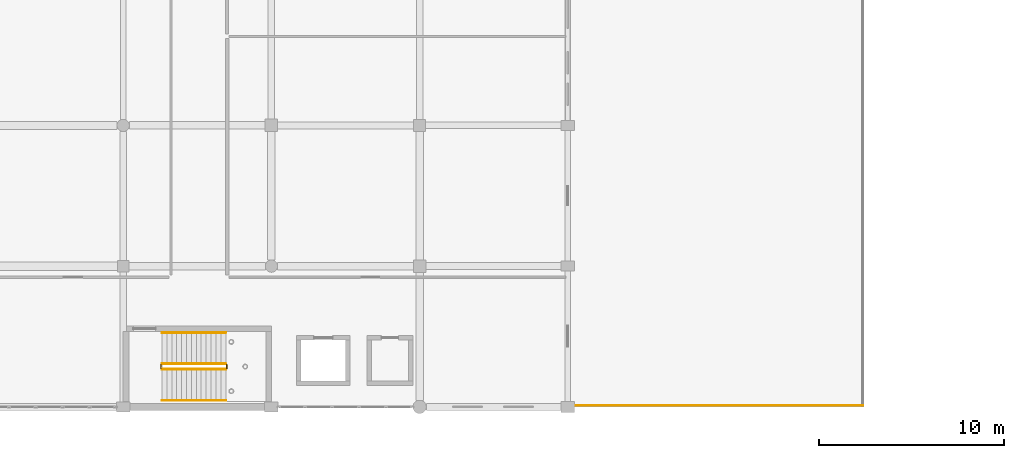
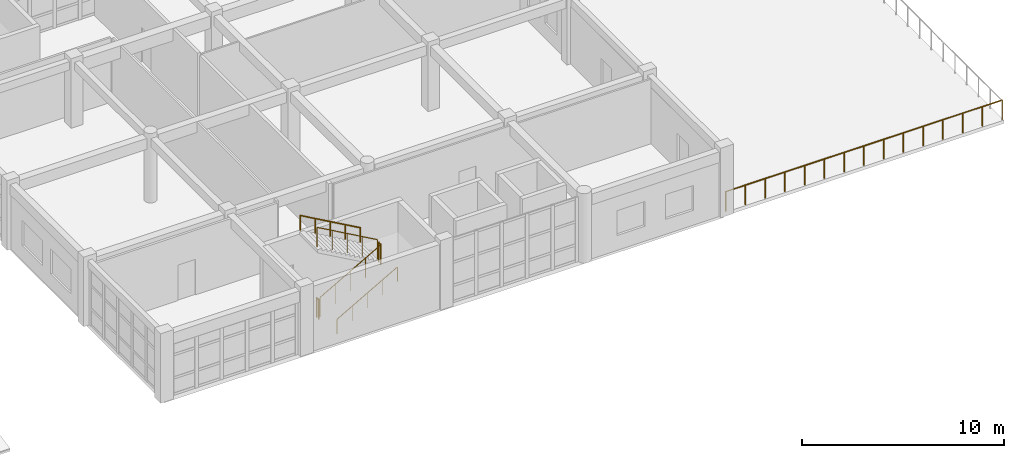
# One storey, part 192 of 195: 7 railings.
"""IFC4 building model written with IfcOpenShell, lengths in metres."""

from ifc_helpers import new_model, si_unit, direction, frame, origin, origin_2d, place, context, subcontext, project, spatial, circle, extrude, material, type_object, element, save


model = new_model("IFC4")

# Units and contexts
model_context = context("Model", 3, precision=1e-05, world=origin(), true_north=direction((0.0, 1.0)))
body_context = subcontext(model_context, "Body", "Model", "MODEL_VIEW")
ifc_project = project(units=[si_unit("LENGTHUNIT", "METRE"), si_unit("AREAUNIT", "SQUARE_METRE"), si_unit("VOLUMEUNIT", "CUBIC_METRE"), si_unit("PLANEANGLEUNIT", "RADIAN"), si_unit("MASSUNIT", "GRAM", prefix="KILO")], contexts=[model_context])

# Site, building, storey
site_placement = place(None, origin())
site = spatial("IfcSite", under=ifc_project, at=site_placement, CompositionType="ELEMENT")
building_placement = place(site_placement, origin())
building = spatial("IfcBuilding", under=site, at=building_placement, Name="Kharva Crest Polytechnic", CompositionType="ELEMENT")
storey_placement = place(building_placement, frame((0.0, 0.0, 9.0)))
storey = spatial("IfcBuildingStorey", under=building, at=storey_placement, Name="L02", CompositionType="ELEMENT", Elevation=9.0)

# Railings
ifc_material_1 = material(Name="Anodised aluminium", Category="aluminium")
railing_type_1 = type_object("IfcRailingType", Name="RL-STAIR-GUARD-1200", PredefinedType="GUARDRAIL", material=ifc_material_1)
railing_1_placement = place(storey_placement, frame((130.889892578125, 2.030029296875, 0.14990234375)))
element("IfcRailing", 1, at=railing_1_placement, inside=storey, type_object=railing_type_1, Name="L02 ST-06 stair guard 1", PredefinedType="GUARDRAIL", context=body_context, shape_type="SweptSolid", body=[
    extrude(circle(Radius=0.02392578125, at=origin_2d()), frame((0.0, 0.0, 1.17578125), z_axis=(0.870239894607, 0.0, 0.492628182136), x_axis=(0.0, 1.0, 0.0)), (0.0, 0.0, 1.0), 3.958740234375),
    extrude(circle(Radius=0.02099609375, at=origin_2d()), origin(), (0.0, 0.0, 1.0), 1.15185546875),
    extrude(circle(Radius=0.02099609375, at=origin_2d()), frame((0.861328125, 0.0, 0.487548828125)), (0.0, 0.0, 1.0), 1.15185546875),
    extrude(circle(Radius=0.02099609375, at=origin_2d()), frame((1.72265625, 0.0, 0.97509765625)), (0.0, 0.0, 1.0), 1.15185546875),
    extrude(circle(Radius=0.02099609375, at=origin_2d()), frame((2.583740234375, 0.0, 1.462646484375)), (0.0, 0.0, 1.0), 1.15185546875),
    extrude(circle(Radius=0.02099609375, at=origin_2d()), frame((3.445068359375, 0.0, 1.9501953125)), (0.0, 0.0, 1.0), 1.15185546875),
])
railing_2_placement = place(storey_placement, frame((134.385009765625, 2.080078125, 2.10009765625)))
element("IfcRailing", 2, at=railing_2_placement, inside=storey, type_object=railing_type_1, Name="L02 ST-06 stair guard 2", PredefinedType="GUARDRAIL", context=body_context, shape_type="SweptSolid", body=[
    extrude(circle(Radius=0.02392578125, at=origin_2d()), frame((0.0, 0.0, 1.17578125), z_axis=(0.0, 1.0, 0.0), x_axis=(-1.0, 0.0, 0.0)), (0.0, 0.0, 1.0), 0.199951171875),
    extrude(circle(Radius=0.02099609375, at=origin_2d()), origin(), (0.0, 0.0, 1.0), 1.15185546875),
    extrude(circle(Radius=0.02099609375, at=origin_2d()), frame((0.0, 0.199951171875, 0.0)), (0.0, 0.0, 1.0), 1.15185546875),
])
railing_3_placement = place(storey_placement, frame((134.3349609375, 2.330078125, 2.25)))
element("IfcRailing", 3, at=railing_3_placement, inside=storey, type_object=railing_type_1, Name="L02 ST-06 stair guard 3", PredefinedType="GUARDRAIL", context=body_context, shape_type="SweptSolid", body=[
    extrude(circle(Radius=0.02392578125, at=origin_2d()), frame((0.0, 0.0, 1.17578125), z_axis=(-0.870266332817, 0.0, 0.492581475459), x_axis=(0.0, -1.0, 0.0)), (0.0, 0.0, 1.0), 3.958740234375),
    extrude(circle(Radius=0.02099609375, at=origin_2d()), origin(), (0.0, 0.0, 1.0), 1.15185546875),
    extrude(circle(Radius=0.02099609375, at=origin_2d()), frame((-0.861328125, 0.0, 0.487548828125)), (0.0, 0.0, 1.0), 1.15185546875),
    extrude(circle(Radius=0.02099609375, at=origin_2d()), frame((-1.72265625, 0.0, 0.97509765625)), (0.0, 0.0, 1.0), 1.15185546875),
    extrude(circle(Radius=0.02099609375, at=origin_2d()), frame((-2.583740234375, 0.0, 1.46240234375)), (0.0, 0.0, 1.0), 1.15185546875),
    extrude(circle(Radius=0.02099609375, at=origin_2d()), frame((-3.445068359375, 0.0, 1.949951171875)), (0.0, 0.0, 1.0), 1.15185546875),
])
railing_4_placement = place(storey_placement, frame((130.840087890625, 2.080078125, 0.0)))
element("IfcRailing", 4, at=railing_4_placement, inside=storey, type_object=railing_type_1, Name="L02 ST-06 stair guard 4", PredefinedType="GUARDRAIL", context=body_context, shape_type="SweptSolid", body=[
    extrude(circle(Radius=0.02392578125, at=origin_2d()), frame((0.0, 0.0, 1.17578125), z_axis=(0.0, 1.0, 0.0), x_axis=(-1.0, 0.0, 0.0)), (0.0, 0.0, 1.0), 0.199951171875),
    extrude(circle(Radius=0.02099609375, at=origin_2d()), origin(), (0.0, 0.0, 1.0), 1.15185546875),
    extrude(circle(Radius=0.02099609375, at=origin_2d()), frame((0.0, 0.199951171875, 0.0)), (0.0, 0.0, 1.0), 1.15185546875),
])
ifc_material_2 = material(Name="Teak timber", Category="wood")
railing_type_2 = type_object("IfcRailingType", Name="RL-STAIR-HAND-900", PredefinedType="HANDRAIL", material=ifc_material_2)
railing_5_placement = place(storey_placement, frame((130.889892578125, 0.35009765625, 0.14990234375)))
element("IfcRailing", 5, at=railing_5_placement, inside=storey, type_object=railing_type_2, Name="L02 ST-06 stair handrail 1", PredefinedType="HANDRAIL", context=body_context, shape_type="SweptSolid", body=[
    extrude(circle(Radius=0.02392578125, at=origin_2d()), frame((0.0, 0.0, 0.8759765625), z_axis=(0.870239894607, 0.0, 0.492628182136), x_axis=(0.0, 1.0, 0.0)), (0.0, 0.0, 1.0), 3.958740234375),
    extrude(circle(Radius=0.02099609375, at=origin_2d()), origin(), (0.0, 0.0, 1.0), 0.851806640625),
    extrude(circle(Radius=0.02099609375, at=origin_2d()), frame((0.861328125, 0.0, 0.487548828125)), (0.0, 0.0, 1.0), 0.851806640625),
    extrude(circle(Radius=0.02099609375, at=origin_2d()), frame((1.72265625, 0.0, 0.97509765625)), (0.0, 0.0, 1.0), 0.851806640625),
    extrude(circle(Radius=0.02099609375, at=origin_2d()), frame((2.583740234375, 0.0, 1.462646484375)), (0.0, 0.0, 1.0), 0.851806640625),
    extrude(circle(Radius=0.02099609375, at=origin_2d()), frame((3.445068359375, 0.0, 1.9501953125)), (0.0, 0.0, 1.0), 0.851806640625),
])
railing_6_placement = place(storey_placement, frame((134.3349609375, 4.010009765625, 2.25)))
element("IfcRailing", 6, at=railing_6_placement, inside=storey, type_object=railing_type_2, Name="L02 ST-06 stair handrail 2", PredefinedType="HANDRAIL", context=body_context, shape_type="SweptSolid", body=[
    extrude(circle(Radius=0.02392578125, at=origin_2d()), frame((0.0, 0.0, 0.8759765625), z_axis=(-0.870266332817, 0.0, 0.492581475459), x_axis=(0.0, -1.0, 0.0)), (0.0, 0.0, 1.0), 3.958740234375),
    extrude(circle(Radius=0.02099609375, at=origin_2d()), origin(), (0.0, 0.0, 1.0), 0.851806640625),
    extrude(circle(Radius=0.02099609375, at=origin_2d()), frame((-0.861328125, 0.0, 0.487548828125)), (0.0, 0.0, 1.0), 0.851806640625),
    extrude(circle(Radius=0.02099609375, at=origin_2d()), frame((-1.72265625, 0.0, 0.97509765625)), (0.0, 0.0, 1.0), 0.851806640625),
    extrude(circle(Radius=0.02099609375, at=origin_2d()), frame((-2.583740234375, 0.0, 1.46240234375)), (0.0, 0.0, 1.0), 0.851806640625),
    extrude(circle(Radius=0.02099609375, at=origin_2d()), frame((-3.445068359375, 0.0, 1.949951171875)), (0.0, 0.0, 1.0), 0.851806640625),
])
railing_type_3 = type_object("IfcRailingType", Name="RL-TERRACE-GUARD-1200", PredefinedType="GUARDRAIL", material=ifc_material_1)
railing_7_placement = place(storey_placement, frame((152.93994140625, 0.080078125, 0.0)))
element("IfcRailing", 7, at=railing_7_placement, inside=storey, type_object=railing_type_3, Name="L02 TER_SE_L02 S Balustrade 19", PredefinedType="GUARDRAIL", context=body_context, shape_type="SweptSolid", body=[
    extrude(circle(Radius=0.02392578125, at=origin_2d()), frame((0.0, 0.0, 1.17578125), z_axis=(1.0, 0.0, 0.0), x_axis=(0.0, 1.0, 0.0)), (0.0, 0.0, 1.0), 15.800048828125),
    extrude(circle(Radius=0.02099609375, at=origin_2d()), origin(), (0.0, 0.0, 1.0), 1.15185546875),
    extrude(circle(Radius=0.02099609375, at=origin_2d()), frame((1.128662109375, 0.0, 0.0)), (0.0, 0.0, 1.0), 1.15185546875),
    extrude(circle(Radius=0.02099609375, at=origin_2d()), frame((2.257080078125, 0.0, 0.0)), (0.0, 0.0, 1.0), 1.15185546875),
    extrude(circle(Radius=0.02099609375, at=origin_2d()), frame((3.3857421875, 0.0, 0.0)), (0.0, 0.0, 1.0), 1.15185546875),
    extrude(circle(Radius=0.02099609375, at=origin_2d()), frame((4.514404296875, 0.0, 0.0)), (0.0, 0.0, 1.0), 1.15185546875),
    extrude(circle(Radius=0.02099609375, at=origin_2d()), frame((5.642822265625, 0.0, 0.0)), (0.0, 0.0, 1.0), 1.15185546875),
    extrude(circle(Radius=0.02099609375, at=origin_2d()), frame((6.771484375, 0.0, 0.0)), (0.0, 0.0, 1.0), 1.15185546875),
    extrude(circle(Radius=0.02099609375, at=origin_2d()), frame((7.89990234375, 0.0, 0.0)), (0.0, 0.0, 1.0), 1.15185546875),
    extrude(circle(Radius=0.02099609375, at=origin_2d()), frame((9.028564453125, 0.0, 0.0)), (0.0, 0.0, 1.0), 1.15185546875),
    extrude(circle(Radius=0.02099609375, at=origin_2d()), frame((10.1572265625, 0.0, 0.0)), (0.0, 0.0, 1.0), 1.15185546875),
    extrude(circle(Radius=0.02099609375, at=origin_2d()), frame((11.28564453125, 0.0, 0.0)), (0.0, 0.0, 1.0), 1.15185546875),
    extrude(circle(Radius=0.02099609375, at=origin_2d()), frame((12.414306640625, 0.0, 0.0)), (0.0, 0.0, 1.0), 1.15185546875),
    extrude(circle(Radius=0.02099609375, at=origin_2d()), frame((13.54296875, 0.0, 0.0)), (0.0, 0.0, 1.0), 1.15185546875),
    extrude(circle(Radius=0.02099609375, at=origin_2d()), frame((14.67138671875, 0.0, 0.0)), (0.0, 0.0, 1.0), 1.15185546875),
    extrude(circle(Radius=0.02099609375, at=origin_2d()), frame((15.800048828125, 0.0, 0.0)), (0.0, 0.0, 1.0), 1.15185546875),
])

save(model, "model.ifc")
